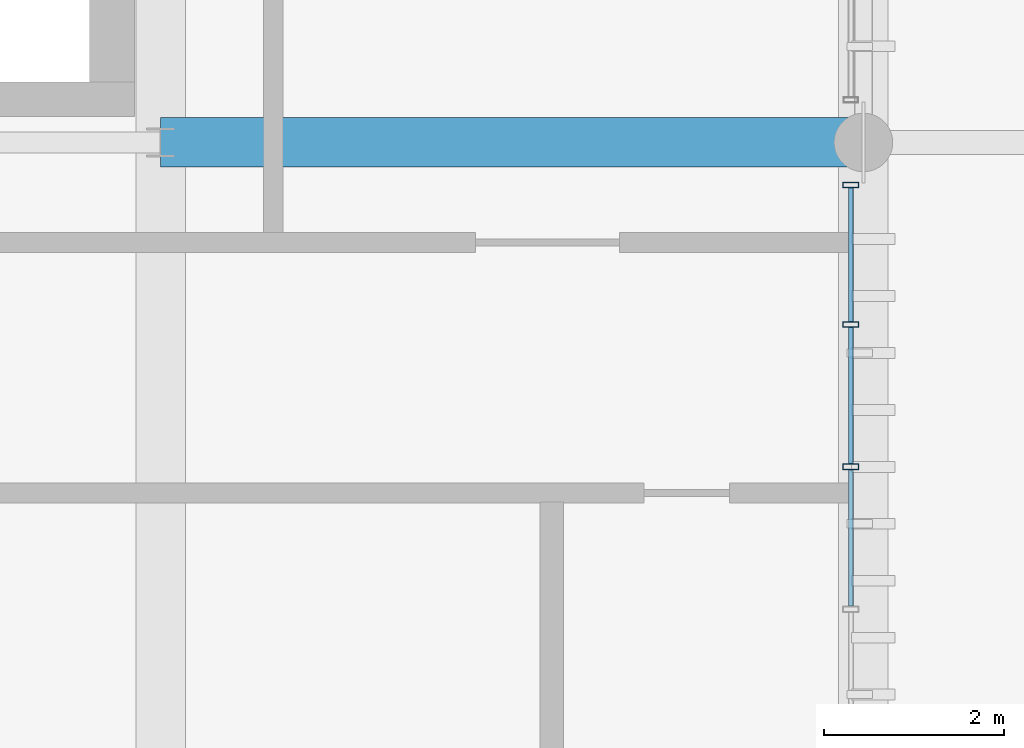
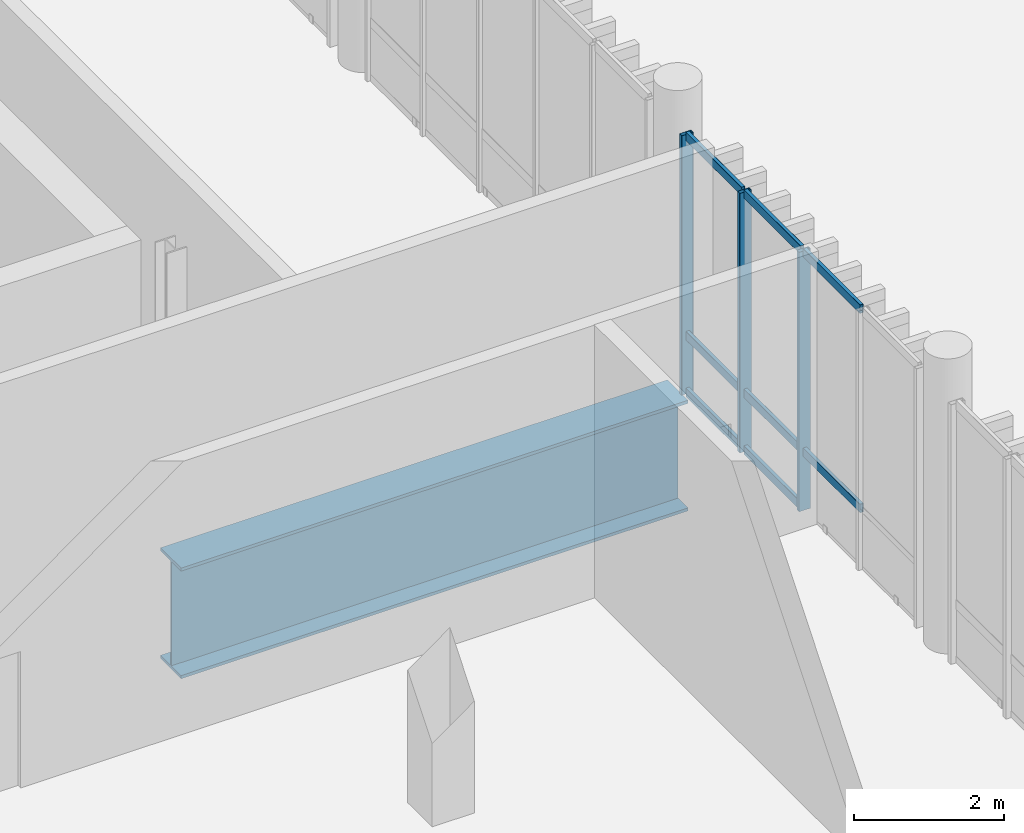
# One storey, part 20 of 81: 11 members, 1 beam, 1 element without a shape of its own.
"""IFC4 building model written with IfcOpenShell, lengths in metres."""

from ifc_helpers import new_model, si_unit, direction, frame, origin_with_axes, origin_2d_with_axis, place, context, subcontext, project, spatial, hollow_rectangle, i_section, extrude, material, material_profile, profile_set, type_object, element, aggregate, save


model = new_model("IFC4")

# Units and contexts
model_context = context("Model", 3, precision=1e-05, world=origin_with_axes(), true_north=direction((0.0, 1.0)))
body_context = subcontext(model_context, "Body", "Model", "MODEL_VIEW")
ifc_project = project(units=[si_unit("LENGTHUNIT", "METRE"), si_unit("AREAUNIT", "SQUARE_METRE"), si_unit("VOLUMEUNIT", "CUBIC_METRE"), si_unit("PLANEANGLEUNIT", "RADIAN"), si_unit("MASSUNIT", "GRAM", prefix="KILO"), si_unit("THERMODYNAMICTEMPERATUREUNIT", "KELVIN")], contexts=[model_context])

# Site, building, storey
site_placement = place(None, origin_with_axes())
site = spatial("IfcSite", under=ifc_project, at=site_placement, CompositionType="ELEMENT")
building_placement = place(site_placement, origin_with_axes())
building = spatial("IfcBuilding", under=site, at=building_placement, Name="Montbau Bow Law Courts", CompositionType="ELEMENT")
storey_placement = place(building_placement, frame((0.0, 0.0, 24.9), z_axis=(0.0, 0.0, 1.0), x_axis=(1.0, 0.0, 0.0)))
storey = spatial("IfcBuildingStorey", under=building, at=storey_placement, Name="L05", CompositionType="ELEMENT", Elevation=24.9)

# Beam
ifc_material_1 = material(Name="Steel CSA G40.21 Grade 350WT (350 MPa)", Category="steel")
ifc_material_profile_1 = material_profile(ifc_material_1, i_section(OverallWidth=0.55, OverallDepth=1.8, WebThickness=0.022, FlangeThickness=0.05, at=origin_2d_with_axis()), Name="WWF1800X550", Category="Main", Priority=0)
ifc_profile_set_1 = profile_set([ifc_material_profile_1], Name="Steel CSA G40.21 Grade 350WT (350 MPa)")
beam_type = type_object("IfcBeamType", Name="B-TRG-01", PredefinedType="USERDEFINED", material=ifc_profile_set_1)
beam_placement = place(None, frame((39.0, 46.2, 23.7), z_axis=(1.0, 0.0, 0.0), x_axis=(0.0, 1.0, 0.0)))
element("IfcBeam", 1, at=beam_placement, inside=storey, type_object=beam_type, Name="TRG-L05-S0056:bm2_0059", ObjectType="GIRDER", PredefinedType="USERDEFINED", context=body_context, shape_type="SweptSolid", body=[
    extrude(i_section(OverallWidth=0.55, OverallDepth=1.8, WebThickness=0.022, FlangeThickness=0.05, at=origin_2d_with_axis()), origin_with_axes(), (0.0, 0.0, 1.0), 7.8),
])

# Curtain wall, members
ifc_material_2 = material(Name="Thermally Broken Extruded Aluminium AA 6063-T6", Category="aluminium")
curtain_wall_type = type_object("IfcCurtainWallType", Name="CW-TRC-02", PredefinedType="NOTDEFINED", material=ifc_material_2)
curtain_wall_placement = place(None, frame((46.66, 39.44, 24.9), z_axis=(0.0, 0.0, 1.0), x_axis=(1.0, 0.0, 0.0)))
curtain_wall = element("IfcCurtainWall", 2, at=curtain_wall_placement, inside=storey, type_object=curtain_wall_type, Name="CW-L05-091:cw_0091", PredefinedType="NOTDEFINED")
ifc_material_profile_2 = material_profile(ifc_material_2, hollow_rectangle(XDim=0.065, YDim=0.18, WallThickness=0.005, InnerFilletRadius=0.01, OuterFilletRadius=0.005, at=origin_2d_with_axis()), Name="CWM-180X65", Category="Main", Priority=0)
ifc_profile_set_2 = profile_set([ifc_material_profile_2], Name="Thermally Broken Extruded Aluminium AA 6063-T6")
member_type_1 = type_object("IfcMemberType", Name="M-MUL-02", PredefinedType="MULLION", material=ifc_profile_set_2)
member_1_placement = place(None, frame((46.66, 42.6, 24.9), z_axis=(0.0, 0.0, 1.0), x_axis=(0.0, 1.0, 0.0)))
member_1 = element("IfcMember", 3, at=member_1_placement, type_object=member_type_1, Name="CW-L05-091-M03:cw_0091_M03", PredefinedType="MULLION", context=body_context, shape_type="SweptSolid", body=[
    extrude(hollow_rectangle(XDim=0.065, YDim=0.18, WallThickness=0.005, InnerFilletRadius=0.01, OuterFilletRadius=0.005, at=origin_2d_with_axis()), origin_with_axes(), (0.0, 0.0, 1.0), 4.22),
])
member_2_placement = place(None, frame((46.66, 44.18, 24.9), z_axis=(0.0, 0.0, 1.0), x_axis=(0.0, 1.0, 0.0)))
member_2 = element("IfcMember", 4, at=member_2_placement, type_object=member_type_1, Name="CW-L05-091-M04:cw_0091_M04", PredefinedType="MULLION", context=body_context, shape_type="SweptSolid", body=[
    extrude(hollow_rectangle(XDim=0.065, YDim=0.18, WallThickness=0.005, InnerFilletRadius=0.01, OuterFilletRadius=0.005, at=origin_2d_with_axis()), origin_with_axes(), (0.0, 0.0, 1.0), 4.22),
])
member_3_placement = place(None, frame((46.66, 45.728, 24.9), z_axis=(0.0, 0.0, 1.0), x_axis=(0.0, 1.0, 0.0)))
member_3 = element("IfcMember", 5, at=member_3_placement, type_object=member_type_1, Name="CW-L05-091-M05:cw_0091_M05", PredefinedType="MULLION", context=body_context, shape_type="SweptSolid", body=[
    extrude(hollow_rectangle(XDim=0.065, YDim=0.18, WallThickness=0.005, InnerFilletRadius=0.01, OuterFilletRadius=0.005, at=origin_2d_with_axis()), origin_with_axes(), (0.0, 0.0, 1.0), 4.22),
])
ifc_material_profile_3 = material_profile(ifc_material_2, hollow_rectangle(XDim=0.055, YDim=0.14, WallThickness=0.004, InnerFilletRadius=0.008, OuterFilletRadius=0.004, at=origin_2d_with_axis()), Name="CWT-140X55", Category="Main", Priority=0)
ifc_profile_set_3 = profile_set([ifc_material_profile_3], Name="Thermally Broken Extruded Aluminium AA 6063-T6")
member_type_2 = type_object("IfcMemberType", Name="M-TRN-02", PredefinedType="USERDEFINED", material=ifc_profile_set_3)
member_4_placement = place(None, frame((46.66, 41.055, 25.85), z_axis=(0.0, 1.0, 0.0), x_axis=(-1.0, 0.0, 0.0)))
member_4 = element("IfcMember", 6, at=member_4_placement, type_object=member_type_2, Name="CW-L05-091-T02-2:cw_0091_T02_2", ObjectType="TRANSOM", PredefinedType="USERDEFINED", context=body_context, shape_type="SweptSolid", body=[
    extrude(hollow_rectangle(XDim=0.055, YDim=0.14, WallThickness=0.004, InnerFilletRadius=0.008, OuterFilletRadius=0.004, at=origin_2d_with_axis()), origin_with_axes(), (0.0, 0.0, 1.0), 1.511),
])
member_5_placement = place(None, frame((46.66, 41.055, 29.093), z_axis=(0.0, 1.0, 0.0), x_axis=(-1.0, 0.0, 0.0)))
member_5 = element("IfcMember", 7, at=member_5_placement, type_object=member_type_2, Name="CW-L05-091-T02-3:cw_0091_T02_3", ObjectType="TRANSOM", PredefinedType="USERDEFINED", context=body_context, shape_type="SweptSolid", body=[
    extrude(hollow_rectangle(XDim=0.055, YDim=0.14, WallThickness=0.004, InnerFilletRadius=0.008, OuterFilletRadius=0.004, at=origin_2d_with_axis()), origin_with_axes(), (0.0, 0.0, 1.0), 1.511),
])
member_6_placement = place(None, frame((46.66, 42.635, 24.927), z_axis=(0.0, 1.0, 0.0), x_axis=(-1.0, 0.0, 0.0)))
member_6 = element("IfcMember", 8, at=member_6_placement, type_object=member_type_2, Name="CW-L05-091-T03-1:cw_0091_T03_1", ObjectType="TRANSOM", PredefinedType="USERDEFINED", context=body_context, shape_type="SweptSolid", body=[
    extrude(hollow_rectangle(XDim=0.055, YDim=0.14, WallThickness=0.004, InnerFilletRadius=0.008, OuterFilletRadius=0.004, at=origin_2d_with_axis()), origin_with_axes(), (0.0, 0.0, 1.0), 1.511),
])
member_7_placement = place(None, frame((46.66, 42.635, 25.85), z_axis=(0.0, 1.0, 0.0), x_axis=(-1.0, 0.0, 0.0)))
member_7 = element("IfcMember", 9, at=member_7_placement, type_object=member_type_2, Name="CW-L05-091-T03-2:cw_0091_T03_2", ObjectType="TRANSOM", PredefinedType="USERDEFINED", context=body_context, shape_type="SweptSolid", body=[
    extrude(hollow_rectangle(XDim=0.055, YDim=0.14, WallThickness=0.004, InnerFilletRadius=0.008, OuterFilletRadius=0.004, at=origin_2d_with_axis()), origin_with_axes(), (0.0, 0.0, 1.0), 1.511),
])
member_8_placement = place(None, frame((46.66, 42.635, 29.093), z_axis=(0.0, 1.0, 0.0), x_axis=(-1.0, 0.0, 0.0)))
member_8 = element("IfcMember", 10, at=member_8_placement, type_object=member_type_2, Name="CW-L05-091-T03-3:cw_0091_T03_3", ObjectType="TRANSOM", PredefinedType="USERDEFINED", context=body_context, shape_type="SweptSolid", body=[
    extrude(hollow_rectangle(XDim=0.055, YDim=0.14, WallThickness=0.004, InnerFilletRadius=0.008, OuterFilletRadius=0.004, at=origin_2d_with_axis()), origin_with_axes(), (0.0, 0.0, 1.0), 1.511),
])
member_9_placement = place(None, frame((46.66, 44.214, 24.927), z_axis=(0.0, 1.0, 0.0), x_axis=(-1.0, 0.0, 0.0)))
member_9 = element("IfcMember", 11, at=member_9_placement, type_object=member_type_2, Name="CW-L05-091-T04-1:cw_0091_T04_1", ObjectType="TRANSOM", PredefinedType="USERDEFINED", context=body_context, shape_type="SweptSolid", body=[
    extrude(hollow_rectangle(XDim=0.055, YDim=0.14, WallThickness=0.004, InnerFilletRadius=0.008, OuterFilletRadius=0.004, at=origin_2d_with_axis()), origin_with_axes(), (0.0, 0.0, 1.0), 1.48),
])
member_10_placement = place(None, frame((46.66, 44.214, 25.85), z_axis=(0.0, 1.0, 0.0), x_axis=(-1.0, 0.0, 0.0)))
member_10 = element("IfcMember", 12, at=member_10_placement, type_object=member_type_2, Name="CW-L05-091-T04-2:cw_0091_T04_2", ObjectType="TRANSOM", PredefinedType="USERDEFINED", context=body_context, shape_type="SweptSolid", body=[
    extrude(hollow_rectangle(XDim=0.055, YDim=0.14, WallThickness=0.004, InnerFilletRadius=0.008, OuterFilletRadius=0.004, at=origin_2d_with_axis()), origin_with_axes(), (0.0, 0.0, 1.0), 1.48),
])
member_11_placement = place(None, frame((46.66, 44.214, 29.093), z_axis=(0.0, 1.0, 0.0), x_axis=(-1.0, 0.0, 0.0)))
member_11 = element("IfcMember", 13, at=member_11_placement, type_object=member_type_2, Name="CW-L05-091-T04-3:cw_0091_T04_3", ObjectType="TRANSOM", PredefinedType="USERDEFINED", context=body_context, shape_type="SweptSolid", body=[
    extrude(hollow_rectangle(XDim=0.055, YDim=0.14, WallThickness=0.004, InnerFilletRadius=0.008, OuterFilletRadius=0.004, at=origin_2d_with_axis()), origin_with_axes(), (0.0, 0.0, 1.0), 1.48),
])
aggregate(curtain_wall, [member_1, member_2, member_3, member_4, member_5, member_6, member_7, member_8, member_9, member_10, member_11])

save(model, "model.ifc")
